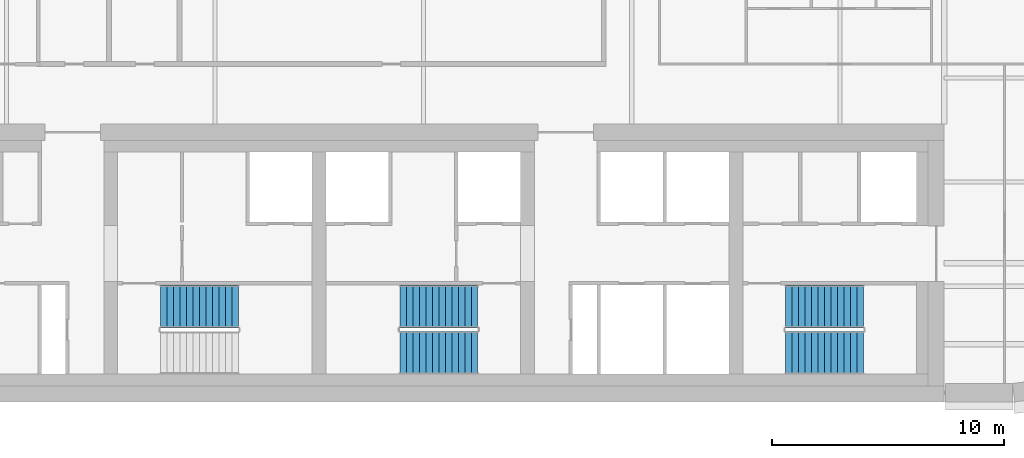
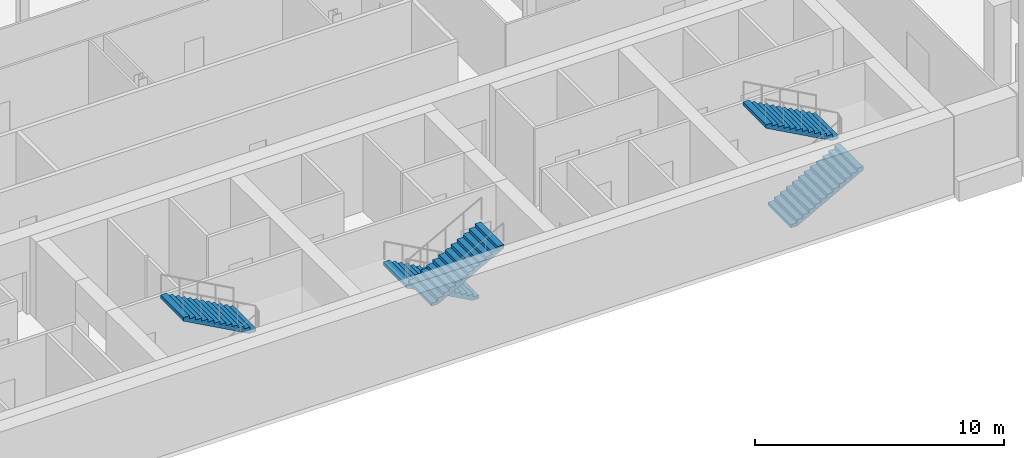
# One storey, part 13 of 17: 5 stair flights, 3 elements without a shape of their own.
"""IFC4 building model written with IfcOpenShell, lengths in metres."""

from ifc_helpers import new_model, si_unit, direction, frame, origin, place, context, subcontext, project, spatial, polyline, outline, extrude, material, type_object, element, aggregate, save


model = new_model("IFC4")

# Units and contexts
model_context = context("Model", 3, precision=1e-05, world=origin(), true_north=direction((0.0, 1.0)))
body_context = subcontext(model_context, "Body", "Model", "MODEL_VIEW")
ifc_project = project(units=[si_unit("LENGTHUNIT", "METRE"), si_unit("AREAUNIT", "SQUARE_METRE"), si_unit("VOLUMEUNIT", "CUBIC_METRE"), si_unit("PLANEANGLEUNIT", "RADIAN"), si_unit("MASSUNIT", "GRAM", prefix="KILO")], contexts=[model_context])

# Site, building, storey
site_placement = place(None, origin())
site = spatial("IfcSite", under=ifc_project, at=site_placement, CompositionType="ELEMENT")
building_placement = place(site_placement, origin())
building = spatial("IfcBuilding", under=site, at=building_placement, Name="Zellij Exchange Tower", CompositionType="ELEMENT")
storey_placement = place(building_placement, frame((0.0, 0.0, 232.5)))
storey = spatial("IfcBuildingStorey", under=building, at=storey_placement, Name="L54", CompositionType="ELEMENT", Elevation=232.5)

# Stair, stair flight
ifc_material = material(Name="Concrete C40/50", Category="concrete")
stair_type = type_object("IfcStairType", Name="CORE-ST exit stair 1850 wide", PredefinedType="HALF_TURN_STAIR", material=ifc_material)
stair_1_placement = place(storey_placement, origin())
stair_1 = element("IfcStair", 1, at=stair_1_placement, inside=storey, type_object=stair_type, Name="L54 exit stair ST2", PredefinedType="HALF_TURN_STAIR")
stair_flight_type = type_object("IfcStairFlightType", Name="CORE-SF flight 1850 riser 153.8 going 280", PredefinedType="STRAIGHT", material=ifc_material)
stair_flight_1_placement = place(storey_placement, frame((-3.489990234375, -9.875, 2.0), z_axis=(0.0, 0.0, 1.0), x_axis=(-1.0, 0.0, 0.0)))
stair_flight_1 = element("IfcStairFlight", 2, at=stair_flight_1_placement, type_object=stair_flight_type, Name="ST2 flight 2", NumberOfRisers=13, NumberOfTreads=12, PredefinedType="STRAIGHT", RiserHeight=0.153846154, TreadLength=0.28, context=body_context, shape_type="SweptSolid", body=[
    extrude(outline(polyline([(0.0, 0.0), (0.0, 0.15380859375), (0.280029296875, 0.15380859375), (0.280029296875, 0.3076171875), (0.56005859375, 0.3076171875), (0.56005859375, 0.46142578125), (0.840087890625, 0.46142578125), (0.840087890625, 0.615478515625), (1.1201171875, 0.615478515625), (1.1201171875, 0.769287109375), (1.39990234375, 0.769287109375), (1.39990234375, 0.923095703125), (1.679931640625, 0.923095703125), (1.679931640625, 1.076904296875), (1.9599609375, 1.076904296875), (1.9599609375, 1.230712890625), (2.239990234375, 1.230712890625), (2.239990234375, 1.384521484375), (2.52001953125, 1.384521484375), (2.52001953125, 1.53857421875), (2.800048828125, 1.53857421875), (2.800048828125, 1.6923828125), (3.080078125, 1.6923828125), (3.080078125, 1.84619140625), (3.360107421875, 1.84619140625), (3.360107421875, 2.0), (3.360107421875, 1.675048828125), (0.311279296875, 0.0), (0.0, 0.0)])), frame((0.0, 0.925048828125, 0.0), z_axis=(0.0, -1.0, 0.0), x_axis=(1.0, 0.0, 0.0)), (0.0, 0.0, 1.0), 1.85009765625),
])
aggregate(stair_1, [stair_flight_1])

# Stair, stair flights
stair_2_placement = place(storey_placement, origin())
stair_2 = element("IfcStair", 3, at=stair_2_placement, inside=storey, type_object=stair_type, Name="L54 exit stair ST3", PredefinedType="HALF_TURN_STAIR")
stair_flight_2_placement = place(storey_placement, frame((6.85009765625, -9.875, 0.0), z_axis=(0.0, 0.0, 1.0), x_axis=(-1.0, 0.0, 0.0)))
stair_flight_2 = element("IfcStairFlight", 4, at=stair_flight_2_placement, type_object=stair_flight_type, Name="ST3 flight 1", NumberOfRisers=13, NumberOfTreads=12, PredefinedType="STRAIGHT", RiserHeight=0.153846154, TreadLength=0.28, context=body_context, shape_type="SweptSolid", body=[
    extrude(outline(polyline([(0.0, 0.0), (0.0, 0.15380859375), (0.280029296875, 0.15380859375), (0.280029296875, 0.3076171875), (0.56005859375, 0.3076171875), (0.56005859375, 0.46142578125), (0.840087890625, 0.46142578125), (0.840087890625, 0.615478515625), (1.1201171875, 0.615478515625), (1.1201171875, 0.769287109375), (1.39990234375, 0.769287109375), (1.39990234375, 0.923095703125), (1.679931640625, 0.923095703125), (1.679931640625, 1.076904296875), (1.9599609375, 1.076904296875), (1.9599609375, 1.230712890625), (2.239990234375, 1.230712890625), (2.239990234375, 1.384521484375), (2.52001953125, 1.384521484375), (2.52001953125, 1.53857421875), (2.800048828125, 1.53857421875), (2.800048828125, 1.6923828125), (3.080078125, 1.6923828125), (3.080078125, 1.84619140625), (3.360107421875, 1.84619140625), (3.360107421875, 2.0), (3.360107421875, 1.675048828125), (0.311279296875, 0.0), (0.0, 0.0)])), frame((0.0, 0.925048828125, 0.0), z_axis=(0.0, -1.0, 0.0), x_axis=(1.0, 0.0, 0.0)), (0.0, 0.0, 1.0), 1.85009765625),
])
stair_flight_3_placement = place(storey_placement, frame((3.489990234375, -11.875, 2.0), z_axis=(0.0, 0.0, 1.0), x_axis=(1.0, 0.0, 0.0)))
stair_flight_3 = element("IfcStairFlight", 5, at=stair_flight_3_placement, type_object=stair_flight_type, Name="ST3 flight 2", NumberOfRisers=13, NumberOfTreads=12, PredefinedType="STRAIGHT", RiserHeight=0.153846154, TreadLength=0.28, context=body_context, shape_type="SweptSolid", body=[
    extrude(outline(polyline([(0.0, 0.0), (0.0, 0.15380859375), (0.280029296875, 0.15380859375), (0.280029296875, 0.3076171875), (0.56005859375, 0.3076171875), (0.56005859375, 0.46142578125), (0.840087890625, 0.46142578125), (0.840087890625, 0.615478515625), (1.1201171875, 0.615478515625), (1.1201171875, 0.769287109375), (1.39990234375, 0.769287109375), (1.39990234375, 0.923095703125), (1.679931640625, 0.923095703125), (1.679931640625, 1.076904296875), (1.9599609375, 1.076904296875), (1.9599609375, 1.230712890625), (2.239990234375, 1.230712890625), (2.239990234375, 1.384521484375), (2.52001953125, 1.384521484375), (2.52001953125, 1.53857421875), (2.800048828125, 1.53857421875), (2.800048828125, 1.6923828125), (3.080078125, 1.6923828125), (3.080078125, 1.84619140625), (3.360107421875, 1.84619140625), (3.360107421875, 2.0), (3.360107421875, 1.675048828125), (0.311279296875, 0.0), (0.0, 0.0)])), frame((0.0, 0.925048828125, 0.0), z_axis=(0.0, -1.0, 0.0), x_axis=(1.0, 0.0, 0.0)), (0.0, 0.0, 1.0), 1.85009765625),
])
aggregate(stair_2, [stair_flight_2, stair_flight_3])

stair_3_placement = place(storey_placement, origin())
stair_3 = element("IfcStair", 6, at=stair_3_placement, inside=storey, type_object=stair_type, Name="L54 exit stair ST4", PredefinedType="HALF_TURN_STAIR")
stair_flight_4_placement = place(storey_placement, frame((20.14990234375, -11.875, 0.0), z_axis=(0.0, 0.0, 1.0), x_axis=(1.0, 0.0, 0.0)))
stair_flight_4 = element("IfcStairFlight", 7, at=stair_flight_4_placement, type_object=stair_flight_type, Name="ST4 flight 1", NumberOfRisers=13, NumberOfTreads=12, PredefinedType="STRAIGHT", RiserHeight=0.153846154, TreadLength=0.28, context=body_context, shape_type="SweptSolid", body=[
    extrude(outline(polyline([(0.0, 0.0), (0.0, 0.15380859375), (0.280029296875, 0.15380859375), (0.280029296875, 0.3076171875), (0.56005859375, 0.3076171875), (0.56005859375, 0.46142578125), (0.840087890625, 0.46142578125), (0.840087890625, 0.615478515625), (1.1201171875, 0.615478515625), (1.1201171875, 0.769287109375), (1.39990234375, 0.769287109375), (1.39990234375, 0.923095703125), (1.679931640625, 0.923095703125), (1.679931640625, 1.076904296875), (1.9599609375, 1.076904296875), (1.9599609375, 1.230712890625), (2.239990234375, 1.230712890625), (2.239990234375, 1.384521484375), (2.52001953125, 1.384521484375), (2.52001953125, 1.53857421875), (2.800048828125, 1.53857421875), (2.800048828125, 1.6923828125), (3.080078125, 1.6923828125), (3.080078125, 1.84619140625), (3.360107421875, 1.84619140625), (3.360107421875, 2.0), (3.360107421875, 1.675048828125), (0.311279296875, 0.0), (0.0, 0.0)])), frame((0.0, 0.925048828125, 0.0), z_axis=(0.0, -1.0, 0.0), x_axis=(1.0, 0.0, 0.0)), (0.0, 0.0, 1.0), 1.85009765625),
])
stair_flight_5_placement = place(storey_placement, frame((23.510009765625, -9.875, 2.0), z_axis=(0.0, 0.0, 1.0), x_axis=(-1.0, 0.0, 0.0)))
stair_flight_5 = element("IfcStairFlight", 8, at=stair_flight_5_placement, type_object=stair_flight_type, Name="ST4 flight 2", NumberOfRisers=13, NumberOfTreads=12, PredefinedType="STRAIGHT", RiserHeight=0.153846154, TreadLength=0.28, context=body_context, shape_type="SweptSolid", body=[
    extrude(outline(polyline([(0.0, 0.0), (0.0, 0.15380859375), (0.280029296875, 0.15380859375), (0.280029296875, 0.3076171875), (0.56005859375, 0.3076171875), (0.56005859375, 0.46142578125), (0.840087890625, 0.46142578125), (0.840087890625, 0.615478515625), (1.1201171875, 0.615478515625), (1.1201171875, 0.769287109375), (1.39990234375, 0.769287109375), (1.39990234375, 0.923095703125), (1.679931640625, 0.923095703125), (1.679931640625, 1.076904296875), (1.9599609375, 1.076904296875), (1.9599609375, 1.230712890625), (2.239990234375, 1.230712890625), (2.239990234375, 1.384521484375), (2.52001953125, 1.384521484375), (2.52001953125, 1.53857421875), (2.800048828125, 1.53857421875), (2.800048828125, 1.6923828125), (3.080078125, 1.6923828125), (3.080078125, 1.84619140625), (3.360107421875, 1.84619140625), (3.360107421875, 2.0), (3.360107421875, 1.675048828125), (0.311279296875, 0.0), (0.0, 0.0)])), frame((0.0, 0.925048828125, 0.0), z_axis=(0.0, -1.0, 0.0), x_axis=(1.0, 0.0, 0.0)), (0.0, 0.0, 1.0), 1.85009765625),
])
aggregate(stair_3, [stair_flight_4, stair_flight_5])

save(model, "model.ifc")
